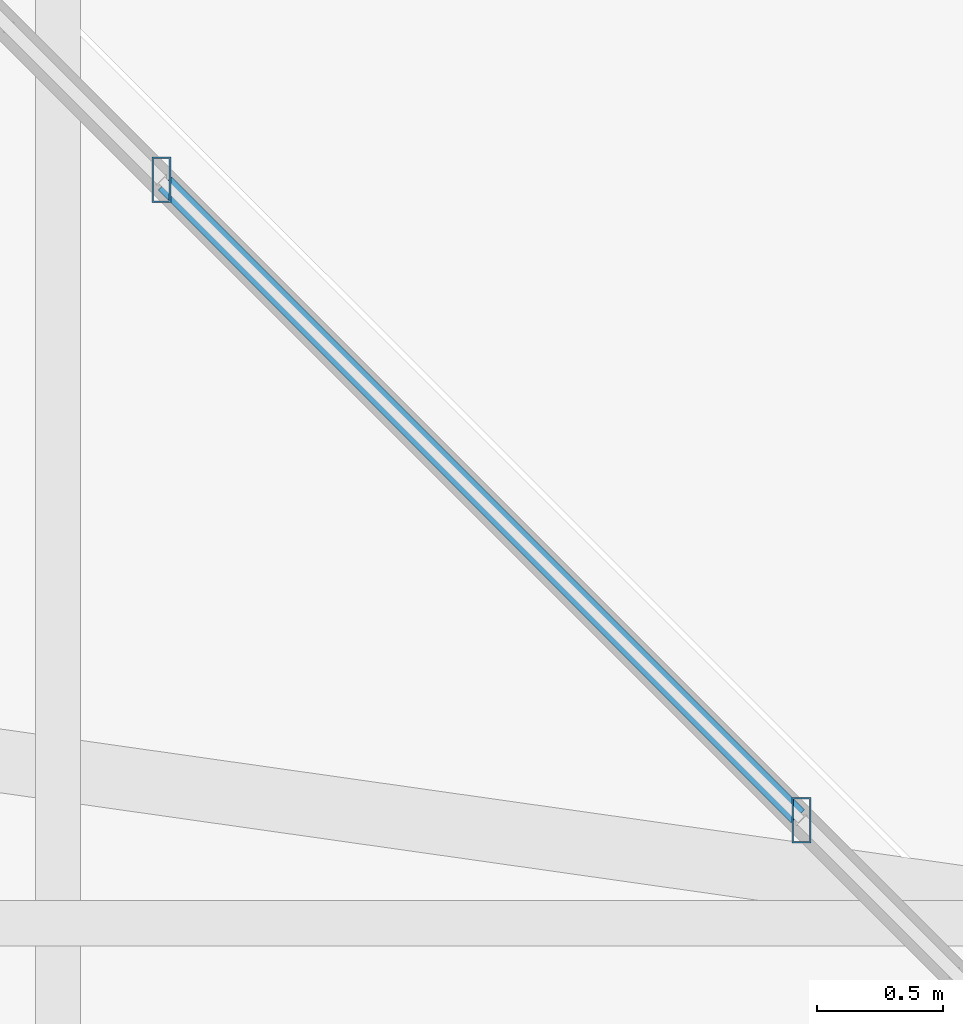
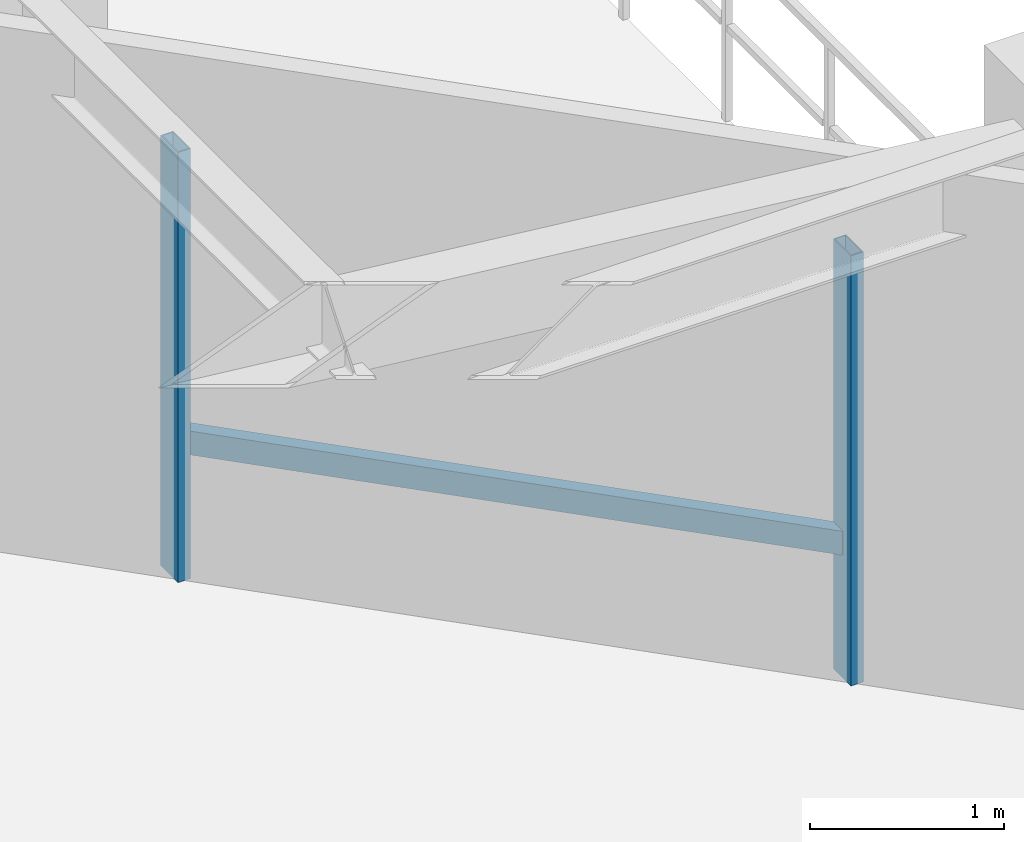
# One storey, part 9 of 29: 3 members, 1 element without a shape of its own.
"""IFC4 building model written with IfcOpenShell, lengths in metres."""

import ifcopenshell
import ifcopenshell.guid

model = None  # the IFC model being written
_history = None  # IfcOwnerHistory: only IFC2X3 demands one
_inside = {}  # id of a spatial element -> (the spatial element, [elements in it])
_under = {}  # id of a project, library or spatial element -> (it, [spatial elements below it])
_declared = {}  # id of a project -> (the project, [libraries it declares])
_typed = {}  # id of a type object -> (the type object, [elements of that type])
_made_of = {}  # id of a material, layer set ... -> (it, [elements and type objects made of it])


def new_model(schema):
    """Start an empty IFC model of exactly this schema.

    Asked for "IFC4X3", IfcOpenShell would pick the latest addendum, in which some entities
    have other attributes; the version numbers below select the first issue.
    IFC2X3 requires an IfcOwnerHistory on every rooted entity: one is made here for all.
    """
    global model, _history
    if schema == "IFC4X3":
        model = ifcopenshell.file(schema_version=(4, 3, 0, 0))
    else:
        model = ifcopenshell.file(schema=schema)
    _inside.clear()
    _under.clear()
    _declared.clear()
    _typed.clear()
    _made_of.clear()
    _history = None
    if model.schema == "IFC2X3":
        org = make("IfcOrganization", Name="unknown")
        user = make(
            "IfcPersonAndOrganization",
            ThePerson=make("IfcPerson", FamilyName="unknown"),
            TheOrganization=org,
        )
        app = make(
            "IfcApplication",
            ApplicationDeveloper=org,
            Version="unknown",
            ApplicationFullName="unknown",
            ApplicationIdentifier="unknown",
        )
        _history = make(
            "IfcOwnerHistory",
            OwningUser=user,
            OwningApplication=app,
            ChangeAction="ADDED",
            CreationDate=0,
        )
    return model


def make(cls, **values):
    """One entity of the class cls with the attributes given. An attribute that is None is left unset."""
    return model.create_entity(
        cls, **{name: value for name, value in values.items() if value is not None}
    )


def rooted(cls, **values):
    """An entity with a GlobalId (a new one), such as an element, a storey or a relation."""
    return make(cls, GlobalId=ifcopenshell.guid.new(), OwnerHistory=_history, **values)


def si_unit(unit_type, name, prefix=None):
    """IfcSIUnit, for example si_unit("LENGTHUNIT", "METRE", prefix="MILLI")."""
    return make("IfcSIUnit", UnitType=unit_type, Prefix=prefix, Name=name)


def assignment(units):
    """IfcUnitAssignment: the units of a project."""
    return None if units is None else make("IfcUnitAssignment", Units=units)


def point(xyz):
    """IfcCartesianPoint."""
    return None if xyz is None else make("IfcCartesianPoint", Coordinates=xyz)


def direction(xyz):
    """IfcDirection."""
    return None if xyz is None else make("IfcDirection", DirectionRatios=xyz)


def frame(location, z_axis=None, x_axis=None):
    """IfcAxis2Placement3D, a coordinate frame: its origin and axes. An axis left out is left unset."""
    return make(
        "IfcAxis2Placement3D",
        Location=point(location),
        Axis=direction(z_axis),
        RefDirection=direction(x_axis),
    )


def frame_2d(location, x_axis=None):
    """IfcAxis2Placement2D, a coordinate frame in the plane: its origin and x axis."""
    return make(
        "IfcAxis2Placement2D", Location=point(location), RefDirection=direction(x_axis)
    )


def origin():
    """The frame at (0, 0, 0) with its axes left unset."""
    return frame((0.0, 0.0, 0.0))


def origin_2d():
    """The frame at (0, 0) in the plane with its x axis left unset."""
    return frame_2d((0.0, 0.0))


def place(relative_to, where):
    """IfcLocalPlacement: puts the frame where relative to a parent placement (None: the world)."""
    return make(
        "IfcLocalPlacement", PlacementRelTo=relative_to, RelativePlacement=where
    )


def context(
    kind, dimensions, precision=None, world=None, true_north=None, identifier=None
):
    """IfcGeometricRepresentationContext, for example the 3D "Model" context."""
    return make(
        "IfcGeometricRepresentationContext",
        ContextIdentifier=identifier,
        ContextType=kind,
        CoordinateSpaceDimension=dimensions,
        Precision=precision,
        WorldCoordinateSystem=world,
        TrueNorth=true_north,
    )


def subcontext(parent, identifier, kind, view, scale=None):
    """IfcGeometricRepresentationSubContext, for example "Body" below "Model"."""
    return make(
        "IfcGeometricRepresentationSubContext",
        ContextIdentifier=identifier,
        ContextType=kind,
        ParentContext=parent,
        TargetScale=scale,
        TargetView=view,
    )


def project(units=None, contexts=None):
    """IfcProject with its units and contexts."""
    return rooted(
        "IfcProject",
        Name="project",
        RepresentationContexts=contexts,
        UnitsInContext=assignment(units),
    )


def spatial(cls, under=None, at=None, **own):
    """A site, building, storey or space (cls), placed at a placement, below another one or the project."""
    s = rooted(cls, ObjectPlacement=at, **own)
    if under is not None:
        _under.setdefault(under.id(), (under, []))[1].append(s)
    return s


def profile(cls, at=None, kind="AREA", **sizes):
    """A parametric profile (cls). Its sizes go by their IFC names, for example OverallWidth=200.0."""
    return make(cls, ProfileType=kind, Position=at, **sizes)


def hollow_rectangle(**sizes):
    """IfcRectangleHollowProfileDef."""
    return profile("IfcRectangleHollowProfileDef", **sizes)


def extrude(swept, where, along, depth):
    """IfcExtrudedAreaSolid: the profile swept, set in the frame where, extruded along a direction by depth."""
    return make(
        "IfcExtrudedAreaSolid",
        SweptArea=swept,
        Position=where,
        ExtrudedDirection=direction(along),
        Depth=depth,
    )


def shape(context_of_items, identifier, shape_type, items):
    """IfcShapeRepresentation: the items that make up one representation, for example the "Body"."""
    return make(
        "IfcShapeRepresentation",
        ContextOfItems=context_of_items,
        RepresentationIdentifier=identifier,
        RepresentationType=shape_type,
        Items=items,
    )


def material(Name=None, Category=None):
    """IfcMaterial."""
    return make("IfcMaterial", Name=Name, Category=Category)


def material_profile(
    of_material, cross_section, Name=None, Category=None, Priority=None
):
    """IfcMaterialProfile: a cross section and its material."""
    return make(
        "IfcMaterialProfile",
        Name=Name,
        Material=of_material,
        Profile=cross_section,
        Priority=Priority,
        Category=Category,
    )


def profile_set(profiles, Name=None, composite=None):
    """IfcMaterialProfileSet."""
    return make(
        "IfcMaterialProfileSet",
        Name=Name,
        MaterialProfiles=profiles,
        CompositeProfile=composite,
    )


def made_of(thing, what):
    """Note that an element or type object is made of a material, layer set ...; save() writes the relation."""
    if what is not None:
        _made_of.setdefault(what.id(), (what, []))[1].append(thing)
    return thing


def type_object(cls, material=None, **own):
    """A type object (cls), such as IfcWallType, which elements share."""
    return made_of(rooted(cls, **own), material)


def element(
    cls,
    number,
    at=None,
    inside=None,
    cuts=None,
    type_object=None,
    material=None,
    context=None,
    identifier="Body",
    shape_type=None,
    held_by="IfcProductDefinitionShape",
    body=None,
    shapes=None,
    **own,
):
    """One element of the class cls, such as IfcWall. Its Tag is "e" and its number.

    at: its placement. inside: the storey or other place that contains it. cuts: it is an
    opening in that element (IfcRelVoidsElement). A single representation is given by context,
    identifier, shape_type and body (its items); several are given by shapes. held_by: the class
    of the entity that holds the representations. save() writes the other relations.
    """
    e = rooted(cls, Tag="e%d" % number, ObjectPlacement=at, **own)
    if body is not None:
        shapes = [shape(context, identifier, shape_type, body)]
    if shapes is not None:
        e.Representation = make(held_by, Representations=shapes)
    if inside is not None:
        _inside.setdefault(inside.id(), (inside, []))[1].append(e)
    if cuts is not None:
        rooted(
            "IfcRelVoidsElement", RelatingBuildingElement=cuts, RelatedOpeningElement=e
        )
    if type_object is not None:
        _typed.setdefault(type_object.id(), (type_object, []))[1].append(e)
    return made_of(e, material)


def aggregate(whole, parts):
    """IfcRelAggregates: a whole, such as a stair, and the parts it consists of."""
    return rooted("IfcRelAggregates", RelatingObject=whole, RelatedObjects=parts)


def save(model, path):
    """Write the relations noted so far, then the file.

    IfcRelAggregates (storeys below a building ...), IfcRelContainedInSpatialStructure (elements
    in a storey), IfcRelDefinesByType, IfcRelAssociatesMaterial and IfcRelDeclares: one each for
    every whole, place, type object, material and project.
    """
    for whole, parts in _under.values():
        aggregate(whole, parts)
    for where, things in _inside.values():
        rooted(
            "IfcRelContainedInSpatialStructure",
            RelatedElements=things,
            RelatingStructure=where,
        )
    for kind, things in _typed.values():
        rooted("IfcRelDefinesByType", RelatedObjects=things, RelatingType=kind)
    for what, things in _made_of.values():
        rooted("IfcRelAssociatesMaterial", RelatedObjects=things, RelatingMaterial=what)
    for by, libraries in _declared.values():
        rooted("IfcRelDeclares", RelatingContext=by, RelatedDefinitions=libraries)
    model.write(path)


model = new_model("IFC4")

# Units and contexts
model_context = context("Model", 3, precision=1e-05, world=origin(), true_north=direction((0.0, 1.0)))
body_context = subcontext(model_context, "Body", "Model", "MODEL_VIEW")
ifc_project = project(units=[si_unit("LENGTHUNIT", "METRE"), si_unit("AREAUNIT", "SQUARE_METRE"), si_unit("VOLUMEUNIT", "CUBIC_METRE"), si_unit("PLANEANGLEUNIT", "RADIAN"), si_unit("MASSUNIT", "GRAM", prefix="KILO")], contexts=[model_context])

# Site, building, storey
site_placement = place(None, origin())
site = spatial("IfcSite", under=ifc_project, at=site_placement, CompositionType="ELEMENT")
building_placement = place(site_placement, origin())
building = spatial("IfcBuilding", under=site, at=building_placement, Name="Thornwick Lancets Civic Towers", CompositionType="ELEMENT")
storey_placement = place(building_placement, frame((0.0, 0.0, 229.5)))
storey = spatial("IfcBuildingStorey", under=building, at=storey_placement, Name="L61", CompositionType="ELEMENT", Elevation=229.5)

# Curtain wall, members
ifc_material_1 = material(Name="High-zone chamfered-corner unitised glass curtain wall", Category="glass")
curtain_wall_type = type_object("IfcCurtainWallType", Name="CW_SYS_05", PredefinedType="NOTDEFINED", material=ifc_material_1)
curtain_wall_placement = place(storey_placement, origin())
curtain_wall = element("IfcCurtainWall", 1, at=curtain_wall_placement, inside=storey, type_object=curtain_wall_type, Name="L61 Curtain Wall CW-L61-A-E3", PredefinedType="NOTDEFINED")
ifc_material_2 = material(Name="Thermally broken bronze aluminium S355", Category="steel")
ifc_material_profile_1 = material_profile(ifc_material_2, hollow_rectangle(XDim=0.074951171875, YDim=0.179931640625, WallThickness=0.006103515625, at=origin_2d()), Name="RHS 180x75x6")
ifc_profile_set_1 = profile_set([ifc_material_profile_1], Name="Thermally broken bronze aluminium S355")
member_type_1 = type_object("IfcMemberType", Name="CW_MUL_180", PredefinedType="MULLION", material=ifc_profile_set_1)
member_1_placement = place(storey_placement, frame((41.440673828125, 40.408447265625, 0.0), z_axis=(0.0, 0.0, 1.0), x_axis=(1.0, 0.0, 0.0)))
member_1 = element("IfcMember", 2, at=member_1_placement, type_object=member_type_1, Name="CW-L61-A-E3 Mullion 0", PredefinedType="MULLION", context=body_context, shape_type="SweptSolid", body=[
    extrude(hollow_rectangle(XDim=0.074951171875, YDim=0.179931640625, WallThickness=0.006103515625, at=origin_2d()), origin(), (0.0, 0.0, 1.0), 2.699951171875),
])
member_2_placement = place(storey_placement, frame((38.908447265625, 42.940673828125, 0.0), z_axis=(0.0, 0.0, 1.0), x_axis=(1.0, 0.0, 0.0)))
member_2 = element("IfcMember", 3, at=member_2_placement, type_object=member_type_1, Name="CW-L61-A-E3 Mullion 1", PredefinedType="MULLION", context=body_context, shape_type="SweptSolid", body=[
    extrude(hollow_rectangle(XDim=0.074951171875, YDim=0.179931640625, WallThickness=0.006103515625, at=origin_2d()), origin(), (0.0, 0.0, 1.0), 2.699951171875),
])
ifc_material_profile_2 = material_profile(ifc_material_2, hollow_rectangle(XDim=0.074951171875, YDim=0.14990234375, WallThickness=0.0048828125, at=origin_2d()), Name="RHS 150x75x5")
ifc_profile_set_2 = profile_set([ifc_material_profile_2], Name="Thermally broken bronze aluminium S355")
member_type_2 = type_object("IfcMemberType", Name="CW_TRN_150", PredefinedType="USERDEFINED", material=ifc_profile_set_2)
member_3_placement = place(storey_placement, frame((41.426513671875, 40.422607421875, 0.85009765625), z_axis=(-0.707106781187, 0.707106781187, 0.0), x_axis=(-0.707106781187, -0.707106781187, 0.0)))
member_3 = element("IfcMember", 4, at=member_3_placement, type_object=member_type_2, Name="CW-L61-A-E3 Transom 0", ObjectType="TRANSOM", PredefinedType="USERDEFINED", context=body_context, shape_type="SweptSolid", body=[
    extrude(hollow_rectangle(XDim=0.074951171875, YDim=0.14990234375, WallThickness=0.0048828125, at=origin_2d()), origin(), (0.0, 0.0, 1.0), 3.541015625),
])
aggregate(curtain_wall, [member_1, member_2, member_3])

save(model, "model.ifc")
